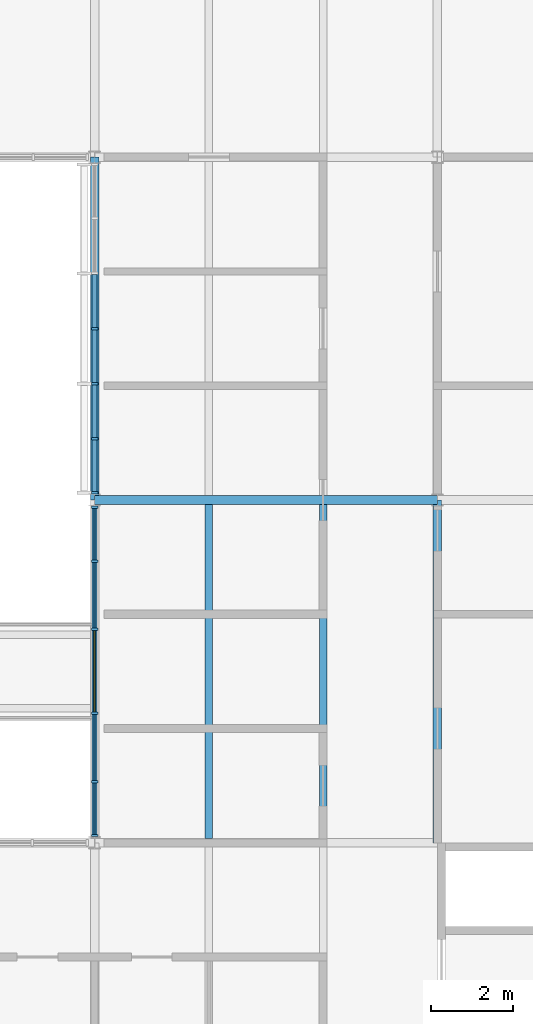
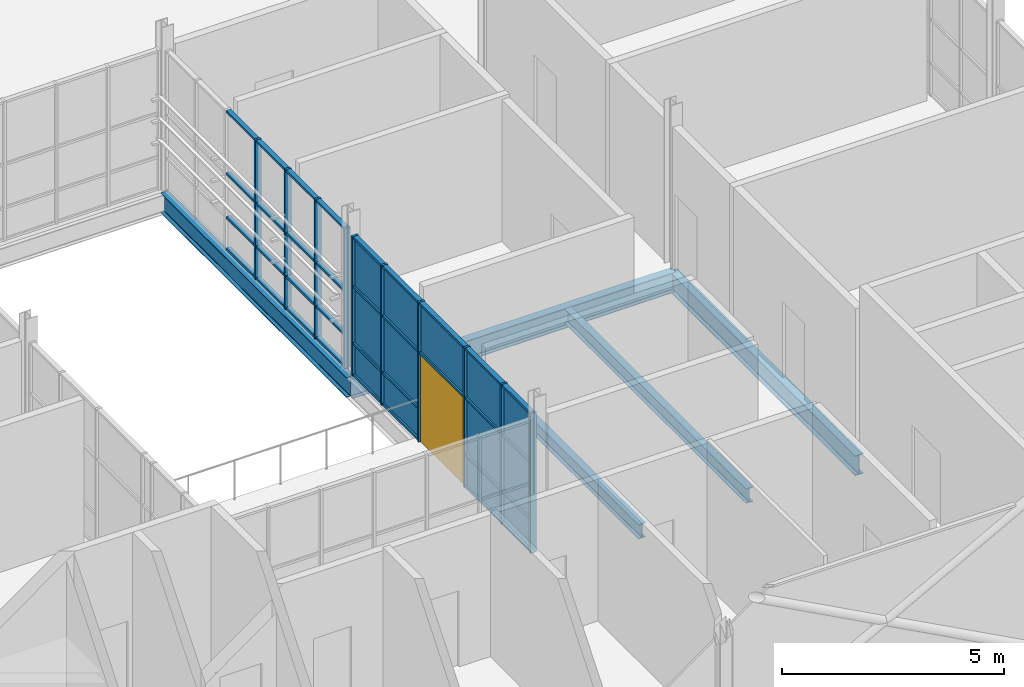
# One storey, part 41 of 129: 44 members, 13 plates, 5 beams, 1 door, 1 opening, 2 elements without a shape of their own.
"""IFC4 building model written with IfcOpenShell, lengths in metres."""

from ifc_helpers import new_model, si_unit, direction, frame, frame_2d, origin, origin_2d, place, context, subcontext, project, spatial, rectangle, i_section, extrude, material, layer, layer_set, material_profile, profile_set, type_object, element, fill, aggregate, save


model = new_model("IFC4")

# Units and contexts
model_context = context("Model", 3, precision=1e-05, world=origin(), true_north=direction((0.0, 1.0)))
body_context = subcontext(model_context, "Body", "Model", "MODEL_VIEW")
ifc_project = project(units=[si_unit("LENGTHUNIT", "METRE"), si_unit("AREAUNIT", "SQUARE_METRE"), si_unit("VOLUMEUNIT", "CUBIC_METRE"), si_unit("PLANEANGLEUNIT", "RADIAN"), si_unit("MASSUNIT", "GRAM", prefix="KILO")], contexts=[model_context])

# Site, building, storey
site_placement = place(None, origin())
site = spatial("IfcSite", under=ifc_project, at=site_placement, CompositionType="ELEMENT")
building_placement = place(site_placement, origin())
building = spatial("IfcBuilding", under=site, at=building_placement, Name="Ardhachandra Cancer Care Centre", CompositionType="ELEMENT")
storey_placement = place(building_placement, frame((0.0, 0.0, 4.5)))
storey = spatial("IfcBuildingStorey", under=building, at=storey_placement, Name="L01", CompositionType="ELEMENT", Elevation=4.5)

# Beams
ifc_material_1 = material(Name="Steel E350 (IS 2062)", Category="steel")
ifc_material_profile_1 = material_profile(ifc_material_1, i_section(OverallWidth=0.179931640625, OverallDepth=0.39990234375, WebThickness=0.008544921875, FlangeThickness=0.013427734375, FilletRadius=0.02099609375, at=origin_2d()), Name="NPB 400x180x66.30")
ifc_profile_set_1 = profile_set([ifc_material_profile_1], Name="Steel E350 (IS 2062)")
beam_type_1 = type_object("IfcBeamType", Name="Beam NPB 400x180x66.30", PredefinedType="BEAM", material=ifc_profile_set_1)
for number, where, z_axis, x_axis, name in (
    (1, (131.199951171875, 37.905029296875, -0.35009765625), (0.0, 1.0, 0.0), (-1.0, 0.0, 0.0), "Secondary D15-E15@2800"),
    (2, (134.0, 37.905029296875, -0.35009765625), (0.0, 1.0, 0.0), (-1.0, 0.0, 0.0), "Secondary D15-E15@5600"),
):
    element("IfcBeam", number, at=place(storey_placement, frame(where, z_axis=z_axis, x_axis=x_axis)), inside=storey, type_object=beam_type_1, Name=name, PredefinedType="BEAM", context=body_context, shape_type="SweptSolid", body=[
        extrude(i_section(OverallWidth=0.179931640625, OverallDepth=0.39990234375, WebThickness=0.008544921875, FlangeThickness=0.013427734375, FilletRadius=0.02099609375, at=origin_2d()), origin(), (0.0, 0.0, 1.0), 8.18994140625),
    ])
ifc_material_2 = material(Name="Steel E350 (IS 2062)", Category="steel")
ifc_material_profile_2 = material_profile(ifc_material_2, i_section(OverallWidth=0.2099609375, OverallDepth=0.550048828125, WebThickness=0.010986328125, FlangeThickness=0.01708984375, FilletRadius=0.02392578125, at=origin_2d()), Name="NPB 550x210x105.52")
ifc_profile_set_2 = profile_set([ifc_material_profile_2], Name="Steel E350 (IS 2062)")
beam_type_2 = type_object("IfcBeamType", Name="Beam NPB 550x210x105.52", PredefinedType="BEAM", material=ifc_profile_set_2)
for number, where, z_axis, x_axis, name in (
    (3, (128.39990234375, 46.199951171875, -0.425048828125), (1.0, 0.0, 0.0), (0.0, 1.0, 0.0), "Girder E15-E16"),
    (4, (128.39990234375, 46.199951171875, -0.425048828125), (0.0, 1.0, 0.0), (-1.0, 0.0, 0.0), "Girder E15-F15"),
):
    element("IfcBeam", number, at=place(storey_placement, frame(where, z_axis=z_axis, x_axis=x_axis)), inside=storey, type_object=beam_type_2, Name=name, PredefinedType="BEAM", context=body_context, shape_type="SweptSolid", body=[
        extrude(i_section(OverallWidth=0.2099609375, OverallDepth=0.550048828125, WebThickness=0.010986328125, FlangeThickness=0.01708984375, FilletRadius=0.02392578125, at=origin_2d()), origin(), (0.0, 0.0, 1.0), 8.400146484375),
    ])
beam_placement = place(storey_placement, frame((136.800048828125, 37.800048828125, -0.425048828125), z_axis=(0.0, 1.0, 0.0), x_axis=(-1.0, 0.0, 0.0)))
element("IfcBeam", 5, at=beam_placement, inside=storey, type_object=beam_type_2, Name="Girder D16-E16", PredefinedType="BEAM", context=body_context, shape_type="SweptSolid", body=[
    extrude(i_section(OverallWidth=0.2099609375, OverallDepth=0.550048828125, WebThickness=0.010986328125, FlangeThickness=0.01708984375, FilletRadius=0.02392578125, at=origin_2d()), origin(), (0.0, 0.0, 1.0), 8.39990234375),
])

# Curtain wall, opening, members
ifc_material_3 = material(Name="Aluminium extrusion", Category="aluminium")
ifc_layer_1 = layer(ifc_material_3, 0.14990234375)
ifc_layer_set_1 = layer_set([ifc_layer_1], Name="Aluminium extrusion")
curtain_wall_type = type_object("IfcCurtainWallType", Name="Curtain wall run", PredefinedType="NOTDEFINED", material=ifc_layer_set_1)
curtain_wall_1_placement = place(storey_placement, frame((128.39990234375, 37.949951171875, 0.0), z_axis=(0.0, 0.0, 1.0), x_axis=(0.0, 1.0, 0.0)))
curtain_wall_1 = element("IfcCurtainWall", 6, at=curtain_wall_1_placement, inside=storey, type_object=curtain_wall_type, Name="Curtain wall L01 w/0128400_0037800", PredefinedType="NOTDEFINED")
opening_placement = place(curtain_wall_1_placement, frame((3.050048828125, 0.0, 0.0)))
opening = element("IfcOpeningElement", 7, at=opening_placement, cuts=curtain_wall_1, Name="Opening BR-LC1-L01-w", PredefinedType="OPENING", context=body_context, shape_type="SweptSolid", body=[
    extrude(rectangle(XDim=2.0, YDim=2.39990234375, at=frame_2d((1.0, 1.199951171875))), frame((0.0, 0.0849609375, 0.0), z_axis=(0.0, -1.0, 0.0), x_axis=(1.0, 0.0, 0.0)), (0.0, 0.0, 1.0), 0.169921875),
])
ifc_material_4 = material(Name="Aluminium extrusion", Category="aluminium")
ifc_material_profile_3 = material_profile(ifc_material_4, rectangle(XDim=0.159912109375, YDim=0.06005859375, at=origin_2d()), Name="Curtain wall mullion 60 x 160")
ifc_profile_set_3 = profile_set([ifc_material_profile_3], Name="Aluminium extrusion")
member_type_1 = type_object("IfcMemberType", Name="Curtain wall mullion 60 x 160", PredefinedType="MULLION", material=ifc_profile_set_3)
member_1_placement = place(storey_placement, frame((128.39990234375, 37.97998046875, 0.0), z_axis=(0.0, 0.0, 1.0), x_axis=(-1.0, 0.0, 0.0)))
member_1 = element("IfcMember", 8, at=member_1_placement, type_object=member_type_1, Name="CW mullion 1", PredefinedType="MULLION", context=body_context, shape_type="SweptSolid", body=[
    extrude(rectangle(XDim=0.159912109375, YDim=0.06005859375, at=origin_2d()), origin(), (0.0, 0.0, 1.0), 3.85009765625),
])
member_2_placement = place(storey_placement, frame((128.39990234375, 39.300048828125, 0.0), z_axis=(0.0, 0.0, 1.0), x_axis=(-1.0, 0.0, 0.0)))
member_2 = element("IfcMember", 9, at=member_2_placement, type_object=member_type_1, Name="CW mullion 2", PredefinedType="MULLION", context=body_context, shape_type="SweptSolid", body=[
    extrude(rectangle(XDim=0.159912109375, YDim=0.06005859375, at=origin_2d()), origin(), (0.0, 0.0, 1.0), 3.85009765625),
])
member_3_placement = place(storey_placement, frame((128.39990234375, 40.969970703125, 0.0), z_axis=(0.0, 0.0, 1.0), x_axis=(-1.0, 0.0, 0.0)))
member_3 = element("IfcMember", 10, at=member_3_placement, type_object=member_type_1, Name="CW mullion 3", PredefinedType="MULLION", context=body_context, shape_type="SweptSolid", body=[
    extrude(rectangle(XDim=0.159912109375, YDim=0.06005859375, at=origin_2d()), origin(), (0.0, 0.0, 1.0), 3.85009765625),
])
member_4_placement = place(storey_placement, frame((128.39990234375, 43.030029296875, 0.0), z_axis=(0.0, 0.0, 1.0), x_axis=(-1.0, 0.0, 0.0)))
member_4 = element("IfcMember", 11, at=member_4_placement, type_object=member_type_1, Name="CW mullion 4", PredefinedType="MULLION", context=body_context, shape_type="SweptSolid", body=[
    extrude(rectangle(XDim=0.159912109375, YDim=0.06005859375, at=origin_2d()), origin(), (0.0, 0.0, 1.0), 3.85009765625),
])
member_5_placement = place(storey_placement, frame((128.39990234375, 44.699951171875, 0.0), z_axis=(0.0, 0.0, 1.0), x_axis=(-1.0, 0.0, 0.0)))
member_5 = element("IfcMember", 12, at=member_5_placement, type_object=member_type_1, Name="CW mullion 5", PredefinedType="MULLION", context=body_context, shape_type="SweptSolid", body=[
    extrude(rectangle(XDim=0.159912109375, YDim=0.06005859375, at=origin_2d()), origin(), (0.0, 0.0, 1.0), 3.85009765625),
])
member_6_placement = place(storey_placement, frame((128.39990234375, 46.02001953125, 0.0), z_axis=(0.0, 0.0, 1.0), x_axis=(-1.0, 0.0, 0.0)))
member_6 = element("IfcMember", 13, at=member_6_placement, type_object=member_type_1, Name="CW mullion 6", PredefinedType="MULLION", context=body_context, shape_type="SweptSolid", body=[
    extrude(rectangle(XDim=0.159912109375, YDim=0.06005859375, at=origin_2d()), origin(), (0.0, 0.0, 1.0), 3.85009765625),
])

# Curtain wall, members
curtain_wall_2_placement = place(storey_placement, origin())
curtain_wall_2 = element("IfcCurtainWall", 14, at=curtain_wall_2_placement, inside=storey, type_object=curtain_wall_type, Name="Curtain wall L01 w/0128400_0046200", PredefinedType="NOTDEFINED")
member_7_placement = place(storey_placement, frame((128.39990234375, 46.3798828125, 0.0), z_axis=(0.0, 0.0, 1.0), x_axis=(-1.0, 0.0, 0.0)))
member_7 = element("IfcMember", 15, at=member_7_placement, type_object=member_type_1, Name="CW mullion 1", PredefinedType="MULLION", context=body_context, shape_type="SweptSolid", body=[
    extrude(rectangle(XDim=0.159912109375, YDim=0.06005859375, at=origin_2d()), origin(), (0.0, 0.0, 1.0), 3.85009765625),
])
member_8_placement = place(storey_placement, frame((128.39990234375, 47.699951171875, 0.0), z_axis=(0.0, 0.0, 1.0), x_axis=(-1.0, 0.0, 0.0)))
member_8 = element("IfcMember", 16, at=member_8_placement, type_object=member_type_1, Name="CW mullion 2", PredefinedType="MULLION", context=body_context, shape_type="SweptSolid", body=[
    extrude(rectangle(XDim=0.159912109375, YDim=0.06005859375, at=origin_2d()), origin(), (0.0, 0.0, 1.0), 3.85009765625),
])
member_9_placement = place(storey_placement, frame((128.39990234375, 49.050048828125, 0.0), z_axis=(0.0, 0.0, 1.0), x_axis=(-1.0, 0.0, 0.0)))
member_9 = element("IfcMember", 17, at=member_9_placement, type_object=member_type_1, Name="CW mullion 3", PredefinedType="MULLION", context=body_context, shape_type="SweptSolid", body=[
    extrude(rectangle(XDim=0.159912109375, YDim=0.06005859375, at=origin_2d()), origin(), (0.0, 0.0, 1.0), 3.85009765625),
])
member_10_placement = place(storey_placement, frame((128.39990234375, 50.39990234375, 0.0), z_axis=(0.0, 0.0, 1.0), x_axis=(-1.0, 0.0, 0.0)))
member_10 = element("IfcMember", 18, at=member_10_placement, type_object=member_type_1, Name="CW mullion 4", PredefinedType="MULLION", context=body_context, shape_type="SweptSolid", body=[
    extrude(rectangle(XDim=0.159912109375, YDim=0.06005859375, at=origin_2d()), origin(), (0.0, 0.0, 1.0), 3.85009765625),
])

# Member
ifc_material_5 = material(Name="Aluminium extrusion", Category="aluminium")
ifc_material_profile_4 = material_profile(ifc_material_5, rectangle(XDim=0.1201171875, YDim=0.06005859375, at=origin_2d()), Name="Curtain wall transom 60 x 120")
ifc_profile_set_4 = profile_set([ifc_material_profile_4], Name="Aluminium extrusion")
member_type_2 = type_object("IfcMemberType", Name="Curtain wall transom 60 x 120", PredefinedType="USERDEFINED", material=ifc_profile_set_4)
member_11_placement = place(storey_placement, frame((128.39990234375, 38.010009765625, 0.030029296875), z_axis=(0.0, 1.0, 0.0), x_axis=(-1.0, 0.0, 0.0)))
member_11 = element("IfcMember", 19, at=member_11_placement, type_object=member_type_2, Name="CW transom 1.1", ObjectType="TRANSOM", PredefinedType="USERDEFINED", context=body_context, shape_type="SweptSolid", body=[
    extrude(rectangle(XDim=0.1201171875, YDim=0.06005859375, at=origin_2d()), origin(), (0.0, 0.0, 1.0), 1.260009765625),
])

member_12_placement = place(storey_placement, frame((128.39990234375, 38.010009765625, 0.89990234375), z_axis=(0.0, 1.0, 0.0), x_axis=(-1.0, 0.0, 0.0)))
member_12 = element("IfcMember", 20, at=member_12_placement, type_object=member_type_2, Name="CW transom 1.2", ObjectType="TRANSOM", PredefinedType="USERDEFINED", context=body_context, shape_type="SweptSolid", body=[
    extrude(rectangle(XDim=0.1201171875, YDim=0.06005859375, at=origin_2d()), origin(), (0.0, 0.0, 1.0), 1.260009765625),
])

member_13_placement = place(storey_placement, frame((128.39990234375, 38.010009765625, 2.4599609375), z_axis=(0.0, 1.0, 0.0), x_axis=(-1.0, 0.0, 0.0)))
member_13 = element("IfcMember", 21, at=member_13_placement, type_object=member_type_2, Name="CW transom 1.3", ObjectType="TRANSOM", PredefinedType="USERDEFINED", context=body_context, shape_type="SweptSolid", body=[
    extrude(rectangle(XDim=0.1201171875, YDim=0.06005859375, at=origin_2d()), origin(), (0.0, 0.0, 1.0), 1.260009765625),
])

member_14_placement = place(storey_placement, frame((128.39990234375, 38.010009765625, 3.820068359375), z_axis=(0.0, 1.0, 0.0), x_axis=(-1.0, 0.0, 0.0)))
member_14 = element("IfcMember", 22, at=member_14_placement, type_object=member_type_2, Name="CW transom 1.4", ObjectType="TRANSOM", PredefinedType="USERDEFINED", context=body_context, shape_type="SweptSolid", body=[
    extrude(rectangle(XDim=0.1201171875, YDim=0.06005859375, at=origin_2d()), origin(), (0.0, 0.0, 1.0), 1.260009765625),
])

member_15_placement = place(storey_placement, frame((128.39990234375, 39.330078125, 0.030029296875), z_axis=(0.0, 1.0, 0.0), x_axis=(-1.0, 0.0, 0.0)))
member_15 = element("IfcMember", 23, at=member_15_placement, type_object=member_type_2, Name="CW transom 2.1", ObjectType="TRANSOM", PredefinedType="USERDEFINED", context=body_context, shape_type="SweptSolid", body=[
    extrude(rectangle(XDim=0.1201171875, YDim=0.06005859375, at=origin_2d()), origin(), (0.0, 0.0, 1.0), 1.60986328125),
])

member_16_placement = place(storey_placement, frame((128.39990234375, 39.330078125, 0.89990234375), z_axis=(0.0, 1.0, 0.0), x_axis=(-1.0, 0.0, 0.0)))
member_16 = element("IfcMember", 24, at=member_16_placement, type_object=member_type_2, Name="CW transom 2.2", ObjectType="TRANSOM", PredefinedType="USERDEFINED", context=body_context, shape_type="SweptSolid", body=[
    extrude(rectangle(XDim=0.1201171875, YDim=0.06005859375, at=origin_2d()), origin(), (0.0, 0.0, 1.0), 1.60986328125),
])

member_17_placement = place(storey_placement, frame((128.39990234375, 39.330078125, 2.4599609375), z_axis=(0.0, 1.0, 0.0), x_axis=(-1.0, 0.0, 0.0)))
member_17 = element("IfcMember", 25, at=member_17_placement, type_object=member_type_2, Name="CW transom 2.3", ObjectType="TRANSOM", PredefinedType="USERDEFINED", context=body_context, shape_type="SweptSolid", body=[
    extrude(rectangle(XDim=0.1201171875, YDim=0.06005859375, at=origin_2d()), origin(), (0.0, 0.0, 1.0), 1.60986328125),
])

member_18_placement = place(storey_placement, frame((128.39990234375, 39.330078125, 3.820068359375), z_axis=(0.0, 1.0, 0.0), x_axis=(-1.0, 0.0, 0.0)))
member_18 = element("IfcMember", 26, at=member_18_placement, type_object=member_type_2, Name="CW transom 2.4", ObjectType="TRANSOM", PredefinedType="USERDEFINED", context=body_context, shape_type="SweptSolid", body=[
    extrude(rectangle(XDim=0.1201171875, YDim=0.06005859375, at=origin_2d()), origin(), (0.0, 0.0, 1.0), 1.60986328125),
])

member_19_placement = place(storey_placement, frame((128.39990234375, 41.0, 2.4599609375), z_axis=(0.0, 1.0, 0.0), x_axis=(-1.0, 0.0, 0.0)))
member_19 = element("IfcMember", 27, at=member_19_placement, type_object=member_type_2, Name="CW transom 3.1", ObjectType="TRANSOM", PredefinedType="USERDEFINED", context=body_context, shape_type="SweptSolid", body=[
    extrude(rectangle(XDim=0.1201171875, YDim=0.06005859375, at=origin_2d()), origin(), (0.0, 0.0, 1.0), 2.0),
])

member_20_placement = place(storey_placement, frame((128.39990234375, 41.0, 3.820068359375), z_axis=(0.0, 1.0, 0.0), x_axis=(-1.0, 0.0, 0.0)))
member_20 = element("IfcMember", 28, at=member_20_placement, type_object=member_type_2, Name="CW transom 3.2", ObjectType="TRANSOM", PredefinedType="USERDEFINED", context=body_context, shape_type="SweptSolid", body=[
    extrude(rectangle(XDim=0.1201171875, YDim=0.06005859375, at=origin_2d()), origin(), (0.0, 0.0, 1.0), 2.0),
])

member_21_placement = place(storey_placement, frame((128.39990234375, 43.06005859375, 0.030029296875), z_axis=(0.0, 1.0, 0.0), x_axis=(-1.0, 0.0, 0.0)))
member_21 = element("IfcMember", 29, at=member_21_placement, type_object=member_type_2, Name="CW transom 4.1", ObjectType="TRANSOM", PredefinedType="USERDEFINED", context=body_context, shape_type="SweptSolid", body=[
    extrude(rectangle(XDim=0.1201171875, YDim=0.06005859375, at=origin_2d()), origin(), (0.0, 0.0, 1.0), 1.60986328125),
])

member_22_placement = place(storey_placement, frame((128.39990234375, 43.06005859375, 0.89990234375), z_axis=(0.0, 1.0, 0.0), x_axis=(-1.0, 0.0, 0.0)))
member_22 = element("IfcMember", 30, at=member_22_placement, type_object=member_type_2, Name="CW transom 4.2", ObjectType="TRANSOM", PredefinedType="USERDEFINED", context=body_context, shape_type="SweptSolid", body=[
    extrude(rectangle(XDim=0.1201171875, YDim=0.06005859375, at=origin_2d()), origin(), (0.0, 0.0, 1.0), 1.60986328125),
])

member_23_placement = place(storey_placement, frame((128.39990234375, 43.06005859375, 2.4599609375), z_axis=(0.0, 1.0, 0.0), x_axis=(-1.0, 0.0, 0.0)))
member_23 = element("IfcMember", 31, at=member_23_placement, type_object=member_type_2, Name="CW transom 4.3", ObjectType="TRANSOM", PredefinedType="USERDEFINED", context=body_context, shape_type="SweptSolid", body=[
    extrude(rectangle(XDim=0.1201171875, YDim=0.06005859375, at=origin_2d()), origin(), (0.0, 0.0, 1.0), 1.60986328125),
])

member_24_placement = place(storey_placement, frame((128.39990234375, 43.06005859375, 3.820068359375), z_axis=(0.0, 1.0, 0.0), x_axis=(-1.0, 0.0, 0.0)))
member_24 = element("IfcMember", 32, at=member_24_placement, type_object=member_type_2, Name="CW transom 4.4", ObjectType="TRANSOM", PredefinedType="USERDEFINED", context=body_context, shape_type="SweptSolid", body=[
    extrude(rectangle(XDim=0.1201171875, YDim=0.06005859375, at=origin_2d()), origin(), (0.0, 0.0, 1.0), 1.60986328125),
])

member_25_placement = place(storey_placement, frame((128.39990234375, 44.72998046875, 0.030029296875), z_axis=(0.0, 1.0, 0.0), x_axis=(-1.0, 0.0, 0.0)))
member_25 = element("IfcMember", 33, at=member_25_placement, type_object=member_type_2, Name="CW transom 5.1", ObjectType="TRANSOM", PredefinedType="USERDEFINED", context=body_context, shape_type="SweptSolid", body=[
    extrude(rectangle(XDim=0.1201171875, YDim=0.06005859375, at=origin_2d()), origin(), (0.0, 0.0, 1.0), 1.260009765625),
])

member_26_placement = place(storey_placement, frame((128.39990234375, 44.72998046875, 0.89990234375), z_axis=(0.0, 1.0, 0.0), x_axis=(-1.0, 0.0, 0.0)))
member_26 = element("IfcMember", 34, at=member_26_placement, type_object=member_type_2, Name="CW transom 5.2", ObjectType="TRANSOM", PredefinedType="USERDEFINED", context=body_context, shape_type="SweptSolid", body=[
    extrude(rectangle(XDim=0.1201171875, YDim=0.06005859375, at=origin_2d()), origin(), (0.0, 0.0, 1.0), 1.260009765625),
])

member_27_placement = place(storey_placement, frame((128.39990234375, 44.72998046875, 2.4599609375), z_axis=(0.0, 1.0, 0.0), x_axis=(-1.0, 0.0, 0.0)))
member_27 = element("IfcMember", 35, at=member_27_placement, type_object=member_type_2, Name="CW transom 5.3", ObjectType="TRANSOM", PredefinedType="USERDEFINED", context=body_context, shape_type="SweptSolid", body=[
    extrude(rectangle(XDim=0.1201171875, YDim=0.06005859375, at=origin_2d()), origin(), (0.0, 0.0, 1.0), 1.260009765625),
])

member_28_placement = place(storey_placement, frame((128.39990234375, 44.72998046875, 3.820068359375), z_axis=(0.0, 1.0, 0.0), x_axis=(-1.0, 0.0, 0.0)))
member_28 = element("IfcMember", 36, at=member_28_placement, type_object=member_type_2, Name="CW transom 5.4", ObjectType="TRANSOM", PredefinedType="USERDEFINED", context=body_context, shape_type="SweptSolid", body=[
    extrude(rectangle(XDim=0.1201171875, YDim=0.06005859375, at=origin_2d()), origin(), (0.0, 0.0, 1.0), 1.260009765625),
])

member_29_placement = place(storey_placement, frame((128.39990234375, 46.409912109375, 0.030029296875), z_axis=(0.0, 1.0, 0.0), x_axis=(-1.0, 0.0, 0.0)))
member_29 = element("IfcMember", 37, at=member_29_placement, type_object=member_type_2, Name="CW transom 1.1", ObjectType="TRANSOM", PredefinedType="USERDEFINED", context=body_context, shape_type="SweptSolid", body=[
    extrude(rectangle(XDim=0.1201171875, YDim=0.06005859375, at=origin_2d()), origin(), (0.0, 0.0, 1.0), 1.260009765625),
])

member_30_placement = place(storey_placement, frame((128.39990234375, 46.409912109375, 0.89990234375), z_axis=(0.0, 1.0, 0.0), x_axis=(-1.0, 0.0, 0.0)))
member_30 = element("IfcMember", 38, at=member_30_placement, type_object=member_type_2, Name="CW transom 1.2", ObjectType="TRANSOM", PredefinedType="USERDEFINED", context=body_context, shape_type="SweptSolid", body=[
    extrude(rectangle(XDim=0.1201171875, YDim=0.06005859375, at=origin_2d()), origin(), (0.0, 0.0, 1.0), 1.260009765625),
])

member_31_placement = place(storey_placement, frame((128.39990234375, 46.409912109375, 2.10009765625), z_axis=(0.0, 1.0, 0.0), x_axis=(-1.0, 0.0, 0.0)))
member_31 = element("IfcMember", 39, at=member_31_placement, type_object=member_type_2, Name="CW transom 1.3", ObjectType="TRANSOM", PredefinedType="USERDEFINED", context=body_context, shape_type="SweptSolid", body=[
    extrude(rectangle(XDim=0.1201171875, YDim=0.06005859375, at=origin_2d()), origin(), (0.0, 0.0, 1.0), 1.260009765625),
])

member_32_placement = place(storey_placement, frame((128.39990234375, 46.409912109375, 3.820068359375), z_axis=(0.0, 1.0, 0.0), x_axis=(-1.0, 0.0, 0.0)))
member_32 = element("IfcMember", 40, at=member_32_placement, type_object=member_type_2, Name="CW transom 1.4", ObjectType="TRANSOM", PredefinedType="USERDEFINED", context=body_context, shape_type="SweptSolid", body=[
    extrude(rectangle(XDim=0.1201171875, YDim=0.06005859375, at=origin_2d()), origin(), (0.0, 0.0, 1.0), 1.260009765625),
])

member_33_placement = place(storey_placement, frame((128.39990234375, 47.72998046875, 0.030029296875), z_axis=(0.0, 1.0, 0.0), x_axis=(-1.0, 0.0, 0.0)))
member_33 = element("IfcMember", 41, at=member_33_placement, type_object=member_type_2, Name="CW transom 2.1", ObjectType="TRANSOM", PredefinedType="USERDEFINED", context=body_context, shape_type="SweptSolid", body=[
    extrude(rectangle(XDim=0.1201171875, YDim=0.06005859375, at=origin_2d()), origin(), (0.0, 0.0, 1.0), 1.2900390625),
])

member_34_placement = place(storey_placement, frame((128.39990234375, 47.72998046875, 0.89990234375), z_axis=(0.0, 1.0, 0.0), x_axis=(-1.0, 0.0, 0.0)))
member_34 = element("IfcMember", 42, at=member_34_placement, type_object=member_type_2, Name="CW transom 2.2", ObjectType="TRANSOM", PredefinedType="USERDEFINED", context=body_context, shape_type="SweptSolid", body=[
    extrude(rectangle(XDim=0.1201171875, YDim=0.06005859375, at=origin_2d()), origin(), (0.0, 0.0, 1.0), 1.2900390625),
])

member_35_placement = place(storey_placement, frame((128.39990234375, 47.72998046875, 2.10009765625), z_axis=(0.0, 1.0, 0.0), x_axis=(-1.0, 0.0, 0.0)))
member_35 = element("IfcMember", 43, at=member_35_placement, type_object=member_type_2, Name="CW transom 2.3", ObjectType="TRANSOM", PredefinedType="USERDEFINED", context=body_context, shape_type="SweptSolid", body=[
    extrude(rectangle(XDim=0.1201171875, YDim=0.06005859375, at=origin_2d()), origin(), (0.0, 0.0, 1.0), 1.2900390625),
])

member_36_placement = place(storey_placement, frame((128.39990234375, 47.72998046875, 3.820068359375), z_axis=(0.0, 1.0, 0.0), x_axis=(-1.0, 0.0, 0.0)))
member_36 = element("IfcMember", 44, at=member_36_placement, type_object=member_type_2, Name="CW transom 2.4", ObjectType="TRANSOM", PredefinedType="USERDEFINED", context=body_context, shape_type="SweptSolid", body=[
    extrude(rectangle(XDim=0.1201171875, YDim=0.06005859375, at=origin_2d()), origin(), (0.0, 0.0, 1.0), 1.2900390625),
])

member_37_placement = place(storey_placement, frame((128.39990234375, 49.080078125, 0.030029296875), z_axis=(0.0, 1.0, 0.0), x_axis=(-1.0, 0.0, 0.0)))
member_37 = element("IfcMember", 45, at=member_37_placement, type_object=member_type_2, Name="CW transom 3.1", ObjectType="TRANSOM", PredefinedType="USERDEFINED", context=body_context, shape_type="SweptSolid", body=[
    extrude(rectangle(XDim=0.1201171875, YDim=0.06005859375, at=origin_2d()), origin(), (0.0, 0.0, 1.0), 1.2900390625),
])

member_38_placement = place(storey_placement, frame((128.39990234375, 49.080078125, 0.89990234375), z_axis=(0.0, 1.0, 0.0), x_axis=(-1.0, 0.0, 0.0)))
member_38 = element("IfcMember", 46, at=member_38_placement, type_object=member_type_2, Name="CW transom 3.2", ObjectType="TRANSOM", PredefinedType="USERDEFINED", context=body_context, shape_type="SweptSolid", body=[
    extrude(rectangle(XDim=0.1201171875, YDim=0.06005859375, at=origin_2d()), origin(), (0.0, 0.0, 1.0), 1.2900390625),
])

member_39_placement = place(storey_placement, frame((128.39990234375, 49.080078125, 2.10009765625), z_axis=(0.0, 1.0, 0.0), x_axis=(-1.0, 0.0, 0.0)))
member_39 = element("IfcMember", 47, at=member_39_placement, type_object=member_type_2, Name="CW transom 3.3", ObjectType="TRANSOM", PredefinedType="USERDEFINED", context=body_context, shape_type="SweptSolid", body=[
    extrude(rectangle(XDim=0.1201171875, YDim=0.06005859375, at=origin_2d()), origin(), (0.0, 0.0, 1.0), 1.2900390625),
])

member_40_placement = place(storey_placement, frame((128.39990234375, 49.080078125, 3.820068359375), z_axis=(0.0, 1.0, 0.0), x_axis=(-1.0, 0.0, 0.0)))
member_40 = element("IfcMember", 48, at=member_40_placement, type_object=member_type_2, Name="CW transom 3.4", ObjectType="TRANSOM", PredefinedType="USERDEFINED", context=body_context, shape_type="SweptSolid", body=[
    extrude(rectangle(XDim=0.1201171875, YDim=0.06005859375, at=origin_2d()), origin(), (0.0, 0.0, 1.0), 1.2900390625),
])

member_41_placement = place(storey_placement, frame((128.39990234375, 50.429931640625, 0.030029296875), z_axis=(0.0, 1.0, 0.0), x_axis=(-1.0, 0.0, 0.0)))
member_41 = element("IfcMember", 49, at=member_41_placement, type_object=member_type_2, Name="CW transom 4.1", ObjectType="TRANSOM", PredefinedType="USERDEFINED", context=body_context, shape_type="SweptSolid", body=[
    extrude(rectangle(XDim=0.1201171875, YDim=0.06005859375, at=origin_2d()), origin(), (0.0, 0.0, 1.0), 1.2900390625),
])

member_42_placement = place(storey_placement, frame((128.39990234375, 50.429931640625, 0.89990234375), z_axis=(0.0, 1.0, 0.0), x_axis=(-1.0, 0.0, 0.0)))
member_42 = element("IfcMember", 50, at=member_42_placement, type_object=member_type_2, Name="CW transom 4.2", ObjectType="TRANSOM", PredefinedType="USERDEFINED", context=body_context, shape_type="SweptSolid", body=[
    extrude(rectangle(XDim=0.1201171875, YDim=0.06005859375, at=origin_2d()), origin(), (0.0, 0.0, 1.0), 1.2900390625),
])

member_43_placement = place(storey_placement, frame((128.39990234375, 50.429931640625, 2.10009765625), z_axis=(0.0, 1.0, 0.0), x_axis=(-1.0, 0.0, 0.0)))
member_43 = element("IfcMember", 51, at=member_43_placement, type_object=member_type_2, Name="CW transom 4.3", ObjectType="TRANSOM", PredefinedType="USERDEFINED", context=body_context, shape_type="SweptSolid", body=[
    extrude(rectangle(XDim=0.1201171875, YDim=0.06005859375, at=origin_2d()), origin(), (0.0, 0.0, 1.0), 1.2900390625),
])

member_44_placement = place(storey_placement, frame((128.39990234375, 50.429931640625, 3.820068359375), z_axis=(0.0, 1.0, 0.0), x_axis=(-1.0, 0.0, 0.0)))
member_44 = element("IfcMember", 52, at=member_44_placement, type_object=member_type_2, Name="CW transom 4.4", ObjectType="TRANSOM", PredefinedType="USERDEFINED", context=body_context, shape_type="SweptSolid", body=[
    extrude(rectangle(XDim=0.1201171875, YDim=0.06005859375, at=origin_2d()), origin(), (0.0, 0.0, 1.0), 1.2900390625),
])

aggregate(curtain_wall_2, [member_7, member_8, member_9, member_10, member_29, member_30, member_31, member_32, member_33, member_34, member_35, member_36, member_37, member_38, member_39, member_40, member_41, member_42, member_43, member_44])

# Plate
ifc_material_6 = material(Name="Low-iron double-glazed unit")
ifc_layer_2 = layer(ifc_material_6, 0.028076171875)
ifc_layer_set_2 = layer_set([ifc_layer_2], Name="Low-iron double-glazed unit")
plate_type_1 = type_object("IfcPlateType", Name="Curtain wall glazing 28", PredefinedType="CURTAIN_PANEL", material=ifc_layer_set_2)
plate_1_placement = place(storey_placement, frame((128.39990234375, 38.639892578125, 0.929931640625), z_axis=(0.0, 0.0, 1.0), x_axis=(0.0, 1.0, 0.0)))
plate_1 = element("IfcPlate", 53, at=plate_1_placement, type_object=plate_type_1, Name="CW panel 1.2", PredefinedType="CURTAIN_PANEL", context=body_context, shape_type="SweptSolid", body=[
    extrude(rectangle(XDim=1.260009765625, YDim=0.028076171875, at=origin_2d()), origin(), (0.0, 0.0, 1.0), 1.5),
])

plate_2_placement = place(storey_placement, frame((128.39990234375, 38.639892578125, 2.48974609375), z_axis=(0.0, 0.0, 1.0), x_axis=(0.0, 1.0, 0.0)))
plate_2 = element("IfcPlate", 54, at=plate_2_placement, type_object=plate_type_1, Name="CW panel 1.3", PredefinedType="CURTAIN_PANEL", context=body_context, shape_type="SweptSolid", body=[
    extrude(rectangle(XDim=1.260009765625, YDim=0.028076171875, at=origin_2d()), origin(), (0.0, 0.0, 1.0), 1.300048828125),
])

plate_3_placement = place(storey_placement, frame((128.39990234375, 40.135009765625, 0.929931640625), z_axis=(0.0, 0.0, 1.0), x_axis=(0.0, 1.0, 0.0)))
plate_3 = element("IfcPlate", 55, at=plate_3_placement, type_object=plate_type_1, Name="CW panel 2.2", PredefinedType="CURTAIN_PANEL", context=body_context, shape_type="SweptSolid", body=[
    extrude(rectangle(XDim=1.610107421875, YDim=0.028076171875, at=origin_2d()), origin(), (0.0, 0.0, 1.0), 1.5),
])

plate_4_placement = place(storey_placement, frame((128.39990234375, 40.135009765625, 2.48974609375), z_axis=(0.0, 0.0, 1.0), x_axis=(0.0, 1.0, 0.0)))
plate_4 = element("IfcPlate", 56, at=plate_4_placement, type_object=plate_type_1, Name="CW panel 2.3", PredefinedType="CURTAIN_PANEL", context=body_context, shape_type="SweptSolid", body=[
    extrude(rectangle(XDim=1.610107421875, YDim=0.028076171875, at=origin_2d()), origin(), (0.0, 0.0, 1.0), 1.300048828125),
])

plate_5_placement = place(storey_placement, frame((128.39990234375, 42.0, 2.48974609375), z_axis=(0.0, 0.0, 1.0), x_axis=(0.0, 1.0, 0.0)))
plate_5 = element("IfcPlate", 57, at=plate_5_placement, type_object=plate_type_1, Name="CW panel 3.1", PredefinedType="CURTAIN_PANEL", context=body_context, shape_type="SweptSolid", body=[
    extrude(rectangle(XDim=2.0, YDim=0.028076171875, at=origin_2d()), origin(), (0.0, 0.0, 1.0), 1.300048828125),
])

plate_6_placement = place(storey_placement, frame((128.39990234375, 43.864990234375, 0.929931640625), z_axis=(0.0, 0.0, 1.0), x_axis=(0.0, 1.0, 0.0)))
plate_6 = element("IfcPlate", 58, at=plate_6_placement, type_object=plate_type_1, Name="CW panel 4.2", PredefinedType="CURTAIN_PANEL", context=body_context, shape_type="SweptSolid", body=[
    extrude(rectangle(XDim=1.610107421875, YDim=0.028076171875, at=origin_2d()), origin(), (0.0, 0.0, 1.0), 1.5),
])

plate_7_placement = place(storey_placement, frame((128.39990234375, 43.864990234375, 2.48974609375), z_axis=(0.0, 0.0, 1.0), x_axis=(0.0, 1.0, 0.0)))
plate_7 = element("IfcPlate", 59, at=plate_7_placement, type_object=plate_type_1, Name="CW panel 4.3", PredefinedType="CURTAIN_PANEL", context=body_context, shape_type="SweptSolid", body=[
    extrude(rectangle(XDim=1.610107421875, YDim=0.028076171875, at=origin_2d()), origin(), (0.0, 0.0, 1.0), 1.300048828125),
])

plate_8_placement = place(storey_placement, frame((128.39990234375, 45.360107421875, 0.929931640625), z_axis=(0.0, 0.0, 1.0), x_axis=(0.0, 1.0, 0.0)))
plate_8 = element("IfcPlate", 60, at=plate_8_placement, type_object=plate_type_1, Name="CW panel 5.2", PredefinedType="CURTAIN_PANEL", context=body_context, shape_type="SweptSolid", body=[
    extrude(rectangle(XDim=1.260009765625, YDim=0.028076171875, at=origin_2d()), origin(), (0.0, 0.0, 1.0), 1.5),
])

plate_9_placement = place(storey_placement, frame((128.39990234375, 45.360107421875, 2.48974609375), z_axis=(0.0, 0.0, 1.0), x_axis=(0.0, 1.0, 0.0)))
plate_9 = element("IfcPlate", 61, at=plate_9_placement, type_object=plate_type_1, Name="CW panel 5.3", PredefinedType="CURTAIN_PANEL", context=body_context, shape_type="SweptSolid", body=[
    extrude(rectangle(XDim=1.260009765625, YDim=0.028076171875, at=origin_2d()), origin(), (0.0, 0.0, 1.0), 1.300048828125),
])

ifc_material_7 = material(Name="Aluminium composite spandrel panel", Category="aluminium")
ifc_layer_3 = layer(ifc_material_7, 0.028076171875)
ifc_layer_set_3 = layer_set([ifc_layer_3], Name="Aluminium composite spandrel panel")
plate_type_2 = type_object("IfcPlateType", Name="Curtain wall spandrel panel 28", PredefinedType="CURTAIN_PANEL", material=ifc_layer_set_3)
plate_10_placement = place(storey_placement, frame((128.39990234375, 38.639892578125, 0.06005859375), z_axis=(0.0, 0.0, 1.0), x_axis=(0.0, 1.0, 0.0)))
plate_10 = element("IfcPlate", 62, at=plate_10_placement, type_object=plate_type_2, Name="CW panel 1.1", PredefinedType="CURTAIN_PANEL", context=body_context, shape_type="SweptSolid", body=[
    extrude(rectangle(XDim=1.260009765625, YDim=0.028076171875, at=origin_2d()), origin(), (0.0, 0.0, 1.0), 0.81005859375),
])

plate_11_placement = place(storey_placement, frame((128.39990234375, 40.135009765625, 0.06005859375), z_axis=(0.0, 0.0, 1.0), x_axis=(0.0, 1.0, 0.0)))
plate_11 = element("IfcPlate", 63, at=plate_11_placement, type_object=plate_type_2, Name="CW panel 2.1", PredefinedType="CURTAIN_PANEL", context=body_context, shape_type="SweptSolid", body=[
    extrude(rectangle(XDim=1.610107421875, YDim=0.028076171875, at=origin_2d()), origin(), (0.0, 0.0, 1.0), 0.81005859375),
])

plate_12_placement = place(storey_placement, frame((128.39990234375, 43.864990234375, 0.06005859375), z_axis=(0.0, 0.0, 1.0), x_axis=(0.0, 1.0, 0.0)))
plate_12 = element("IfcPlate", 64, at=plate_12_placement, type_object=plate_type_2, Name="CW panel 4.1", PredefinedType="CURTAIN_PANEL", context=body_context, shape_type="SweptSolid", body=[
    extrude(rectangle(XDim=1.610107421875, YDim=0.028076171875, at=origin_2d()), origin(), (0.0, 0.0, 1.0), 0.81005859375),
])

plate_13_placement = place(storey_placement, frame((128.39990234375, 45.360107421875, 0.06005859375), z_axis=(0.0, 0.0, 1.0), x_axis=(0.0, 1.0, 0.0)))
plate_13 = element("IfcPlate", 65, at=plate_13_placement, type_object=plate_type_2, Name="CW panel 5.1", PredefinedType="CURTAIN_PANEL", context=body_context, shape_type="SweptSolid", body=[
    extrude(rectangle(XDim=1.260009765625, YDim=0.028076171875, at=origin_2d()), origin(), (0.0, 0.0, 1.0), 0.81005859375),
])

aggregate(curtain_wall_1, [member_1, member_2, member_3, member_4, member_5, member_6, member_11, member_12, member_13, member_14, plate_10, plate_1, plate_2, member_15, member_16, member_17, member_18, plate_11, plate_3, plate_4, member_19, member_20, plate_5, member_21, member_22, member_23, member_24, plate_12, plate_6, plate_7, member_25, member_26, member_27, member_28, plate_13, plate_8, plate_9])

# Door
ifc_material_8 = material(Name="Aluminium frame with toughened glass", Category="aluminium")
door_type = type_object("IfcDoorType", Name="Court door pair 2000 x 2400", OperationType="DOUBLE_DOOR_SINGLE_SWING", PredefinedType="DOOR", material=ifc_material_8)
door_placement = place(opening_placement, origin())
door = element("IfcDoor", 66, at=door_placement, inside=storey, type_object=door_type, Name="Link Bridge Door BR-LC1-L01-w", OperationType="SINGLE_SWING_LEFT", OverallHeight=2.39990234375, OverallWidth=2.0, PredefinedType="DOOR", context=body_context, shape_type="SweptSolid", body=[
    extrude(rectangle(XDim=2.0, YDim=2.39990234375, at=frame_2d((1.0, 1.199951171875))), frame((0.0, 0.02490234375, 0.0), z_axis=(0.0, -1.0, 0.0), x_axis=(1.0, 0.0, 0.0)), (0.0, 0.0, 1.0), 0.050048828125),
])

fill(opening, door)

save(model, "model.ifc")
